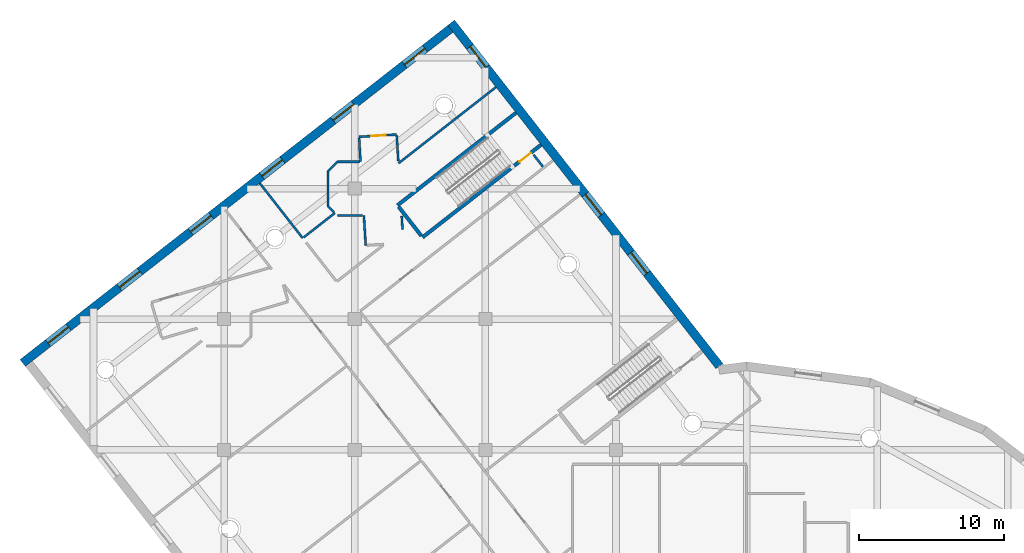
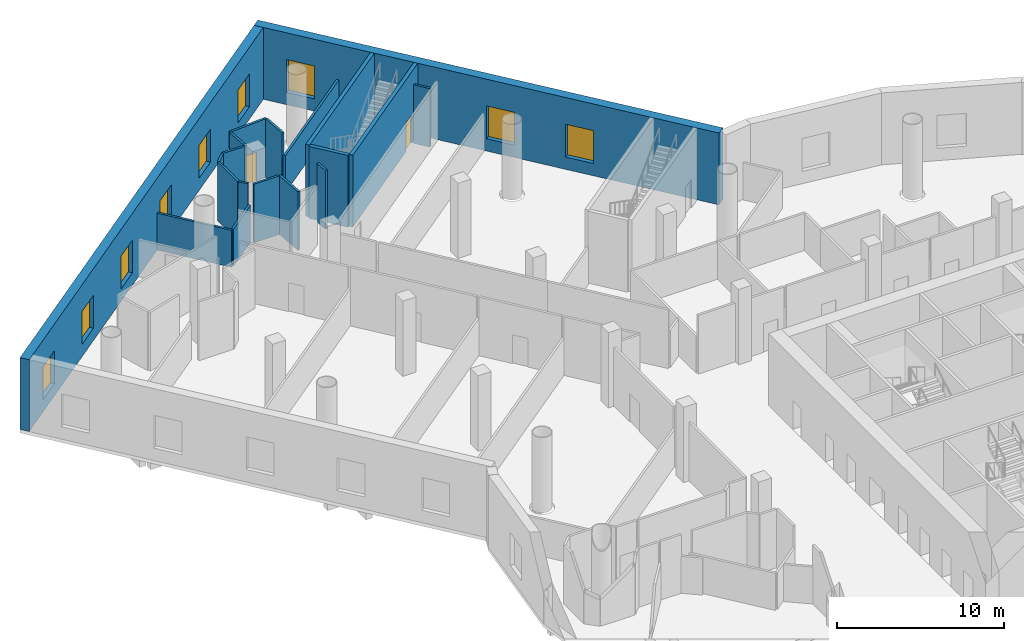
# One storey, part 11 of 23: 19 walls, 9 windows, 2 doors, 11 openings.
"""IFC4 building model written with IfcOpenShell, lengths in metres."""

from ifc_helpers import new_model, si_unit, direction, frame, frame_2d, origin, place, context, subcontext, project, spatial, rectangle, extrude, material, layer, layer_set, type_object, element, fill, save


model = new_model("IFC4")

# Units and contexts
model_context = context("Model", 3, precision=1e-05, world=origin(), true_north=direction((0.0, 1.0)))
body_context = subcontext(model_context, "Body", "Model", "MODEL_VIEW")
ifc_project = project(units=[si_unit("LENGTHUNIT", "METRE"), si_unit("AREAUNIT", "SQUARE_METRE"), si_unit("VOLUMEUNIT", "CUBIC_METRE"), si_unit("PLANEANGLEUNIT", "RADIAN"), si_unit("MASSUNIT", "GRAM", prefix="KILO")], contexts=[model_context])

# Site, building, storey
site_placement = place(None, origin())
site = spatial("IfcSite", under=ifc_project, at=site_placement, CompositionType="ELEMENT")
building_placement = place(site_placement, origin())
building = spatial("IfcBuilding", under=site, at=building_placement, Name="Tarsis Ring Headquarters", CompositionType="ELEMENT")
storey_placement = place(building_placement, frame((0.0, 0.0, 19.5)))
storey = spatial("IfcBuildingStorey", under=building, at=storey_placement, Name="L03", CompositionType="ELEMENT", Elevation=19.5)

# Walls
ifc_material_1 = material(Name="Plasterboard partition")
ifc_layer_1 = layer(ifc_material_1, 0.14990234375)
ifc_layer_set_1 = layer_set([ifc_layer_1], Name="PO-PW150")
wall_type_1 = type_object("IfcWallType", Name="PO-PW150", PredefinedType="PARTITIONING", material=ifc_layer_set_1)
wall_1_placement = place(storey_placement, frame((-23.9892578125, 46.739013671875, 0.0), z_axis=(0.0, 0.0, 1.0), x_axis=(0.788016995561, 0.615653485906, 0.0)))
element("IfcWall", 1, at=wall_1_placement, inside=storey, type_object=wall_type_1, Name="L03 partition wall 33", PredefinedType="PARTITIONING", context=body_context, shape_type="SweptSolid", body=[
    extrude(rectangle(XDim=8.5283203125, YDim=0.14990234375, at=frame_2d((4.26416015625, 0.0))), origin(), (0.0, 0.0, 1.0), 2.699951171875),
])
wall_2_placement = place(storey_placement, frame((-33.541259765625, 45.3671875, 0.0), z_axis=(0.0, 0.0, 1.0), x_axis=(0.615671679658, -0.788002781003, 0.0)))
element("IfcWall", 2, at=wall_2_placement, inside=storey, type_object=wall_type_1, Name="L03 partition wall 72", PredefinedType="PARTITIONING", context=body_context, shape_type="SweptSolid", body=[
    extrude(rectangle(XDim=4.7998046875, YDim=0.14990234375, at=frame_2d((2.39990234375, 0.0))), origin(), (0.0, 0.0, 1.0), 2.699951171875),
])
wall_3_placement = place(storey_placement, frame((-28.367919921875, 43.31787109375, 0.0), z_axis=(0.0, 0.0, 1.0), x_axis=(-0.788018960499, -0.615650970838, 0.0)))
element("IfcWall", 3, at=wall_3_placement, inside=storey, type_object=wall_type_1, Name="L03 partition wall 100", PredefinedType="PARTITIONING", context=body_context, shape_type="SweptSolid", body=[
    extrude(rectangle(XDim=2.735107421875, YDim=0.14990234375, at=frame_2d((1.36767578125, 0.0))), origin(), (0.0, 0.0, 1.0), 2.699951171875),
])

# Wall, opening, door
ifc_layer_2 = layer(ifc_material_1, 0.14990234375)
ifc_layer_set_2 = layer_set([ifc_layer_2], Name="PO-PW150R-4283")
wall_type_2 = type_object("IfcWallType", Name="PO-PW150R-4283", PredefinedType="PARTITIONING", material=ifc_layer_set_2)
wall_4_placement = place(storey_placement, frame((-26.706787109375, 48.563232421875, 0.0), z_axis=(0.0, 0.0, 1.0), x_axis=(0.998095093722, 0.061694277597, 0.0)))
wall_4 = element("IfcWall", 4, at=wall_4_placement, inside=storey, type_object=wall_type_2, Name="L03 partition wall 109", PredefinedType="PARTITIONING", context=body_context, shape_type="SweptSolid", body=[
    extrude(rectangle(XDim=2.599853515625, YDim=0.14990234375, at=frame_2d((1.2998046875, 0.0))), origin(), (0.0, 0.0, 1.0), 4.282958984375),
])
opening_1_placement = place(wall_4_placement, frame((0.85302734375, 0.0, 0.0)))
opening_1 = element("IfcOpeningElement", 5, at=opening_1_placement, cuts=wall_4, Name="Opening PO-D1", PredefinedType="OPENING", context=body_context, shape_type="SweptSolid", body=[
    extrude(rectangle(XDim=1.0, YDim=2.10009765625, at=frame_2d((0.5, 1.050048828125))), frame((0.0, 0.0849609375, 0.0), z_axis=(0.0, -1.0, 0.0), x_axis=(1.0, 0.0, 0.0)), (0.0, 0.0, 1.0), 0.169921875),
])
ifc_material_2 = material(Name="Timber door", Category="wood")
door_type_1 = type_object("IfcDoorType", Name="PO-D1000", OperationType="NOTDEFINED", PredefinedType="DOOR", material=ifc_material_2)
door_1_placement = place(opening_1_placement, origin())
door_1 = element("IfcDoor", 6, at=door_1_placement, inside=storey, type_object=door_type_1, Name="Archive store door", OperationType="SINGLE_SWING_LEFT", OverallHeight=2.10009765625, OverallWidth=1.0, PredefinedType="DOOR", context=body_context, shape_type="SweptSolid", body=[
    extrude(rectangle(XDim=1.0, YDim=2.10009765625, at=frame_2d((0.5, 1.050048828125))), frame((0.0, 0.02490234375, 0.0), z_axis=(0.0, -1.0, 0.0), x_axis=(1.0, 0.0, 0.0)), (0.0, 0.0, 1.0), 0.050048828125),
])
fill(opening_1, door_1)

# Walls
wall_5_placement = place(storey_placement, frame((-28.85009765625, 43.800048828125, 0.0), z_axis=(0.0, 0.0, 1.0), x_axis=(0.0, 1.0, 0.0)))
element("IfcWall", 7, at=wall_5_placement, inside=storey, type_object=wall_type_2, Name="L03 partition wall 117", PredefinedType="PARTITIONING", context=body_context, shape_type="SweptSolid", body=[
    extrude(rectangle(XDim=2.39990234375, YDim=0.14990234375, at=frame_2d((1.199951171875, 0.0))), origin(), (0.0, 0.0, 1.0), 4.282958984375),
])
wall_6_placement = place(storey_placement, frame((-26.24462890625, 41.085205078125, 0.0), z_axis=(0.0, 0.0, 1.0), x_axis=(-0.061724342185, 0.998093234914, 0.0)))
element("IfcWall", 8, at=wall_6_placement, inside=storey, type_object=wall_type_2, Name="L03 partition wall 127", PredefinedType="PARTITIONING", context=body_context, shape_type="SweptSolid", body=[
    extrude(rectangle(XDim=2.068603515625, YDim=0.14990234375, at=frame_2d((1.0341796875, 0.0))), origin(), (0.0, 0.0, 1.0), 4.282958984375),
])
wall_7_placement = place(storey_placement, frame((-24.10693359375, 48.6435546875, 0.0), z_axis=(0.0, 0.0, 1.0), x_axis=(0.061790438176, -0.998089145192, 0.0)))
element("IfcWall", 9, at=wall_7_placement, inside=storey, type_object=wall_type_2, Name="L03 partition wall 131", PredefinedType="PARTITIONING", context=body_context, shape_type="SweptSolid", body=[
    extrude(rectangle(XDim=1.75830078125, YDim=0.14990234375, at=frame_2d((0.879150390625, 0.0))), origin(), (0.0, 0.0, 1.0), 4.282958984375),
])
wall_8_placement = place(storey_placement, frame((-26.452392578125, 43.14990234375, 0.0), z_axis=(0.0, 0.0, 1.0), x_axis=(-1.0, 0.0, 0.0)))
element("IfcWall", 10, at=wall_8_placement, inside=storey, type_object=wall_type_2, Name="L03 partition wall 137", PredefinedType="PARTITIONING", context=body_context, shape_type="SweptSolid", body=[
    extrude(rectangle(XDim=1.74755859375, YDim=0.14990234375, at=frame_2d((0.873779296875, 0.0))), origin(), (0.0, 0.0, 1.0), 4.282958984375),
])
wall_9_placement = place(storey_placement, frame((-26.60107421875, 46.85009765625, 0.0), z_axis=(0.0, 0.0, 1.0), x_axis=(-0.06162580665, 0.998099323692, 0.0)))
element("IfcWall", 11, at=wall_9_placement, inside=storey, type_object=wall_type_2, Name="L03 partition wall 138", PredefinedType="PARTITIONING", context=body_context, shape_type="SweptSolid", body=[
    extrude(rectangle(XDim=1.63623046875, YDim=0.14990234375, at=frame_2d((0.818115234375, 0.0))), origin(), (0.0, 0.0, 1.0), 4.282958984375),
])
wall_10_placement = place(storey_placement, frame((-28.199951171875, 46.85009765625, 0.0), z_axis=(0.0, 0.0, 1.0), x_axis=(1.0, 0.0, 0.0)))
element("IfcWall", 12, at=wall_10_placement, inside=storey, type_object=wall_type_2, Name="L03 partition wall 140", PredefinedType="PARTITIONING", context=body_context, shape_type="SweptSolid", body=[
    extrude(rectangle(XDim=1.51904296875, YDim=0.14990234375, at=frame_2d((0.759521484375, 0.0))), origin(), (0.0, 0.0, 1.0), 4.282958984375),
])
wall_11_placement = place(storey_placement, frame((-14.677734375, 47.328857421875, 0.0), z_axis=(0.0, 0.0, 1.0), x_axis=(0.615558650251, -0.788091078557, 0.0)))
element("IfcWall", 13, at=wall_11_placement, inside=storey, type_object=wall_type_2, Name="L03 partition wall 155", PredefinedType="PARTITIONING", context=body_context, shape_type="SweptSolid", body=[
    extrude(rectangle(XDim=1.05419921875, YDim=0.14990234375, at=frame_2d((0.527099609375, 0.0))), origin(), (0.0, 0.0, 1.0), 4.282958984375),
])
wall_12_placement = place(storey_placement, frame((-23.764892578125, 43.109375, 0.0), z_axis=(0.0, 0.0, 1.0), x_axis=(0.061656493735, -0.998097428501, 0.0)))
element("IfcWall", 14, at=wall_12_placement, inside=storey, type_object=wall_type_2, Name="L03 partition wall 160", PredefinedType="PARTITIONING", context=body_context, shape_type="SweptSolid", body=[
    extrude(rectangle(XDim=0.926513671875, YDim=0.14990234375, at=frame_2d((0.46337890625, 0.0))), origin(), (0.0, 0.0, 1.0), 4.282958984375),
])
wall_13_placement = place(storey_placement, frame((-28.85009765625, 46.199951171875, 0.0), z_axis=(0.0, 0.0, 1.0), x_axis=(0.707106781187, 0.707106781187, 0.0)))
element("IfcWall", 15, at=wall_13_placement, inside=storey, type_object=wall_type_2, Name="L03 partition wall 163", PredefinedType="PARTITIONING", context=body_context, shape_type="SweptSolid", body=[
    extrude(rectangle(XDim=0.91943359375, YDim=0.14990234375, at=frame_2d((0.459716796875, 0.0))), origin(), (0.0, 0.0, 1.0), 4.282958984375),
])
wall_14_placement = place(storey_placement, frame((-28.431640625, 43.381591796875, 0.0), z_axis=(0.0, 0.0, 1.0), x_axis=(-0.707106781187, 0.707106781187, 0.0)))
element("IfcWall", 16, at=wall_14_placement, inside=storey, type_object=wall_type_2, Name="L03 partition wall 173", PredefinedType="PARTITIONING", context=body_context, shape_type="SweptSolid", body=[
    extrude(rectangle(XDim=0.591796875, YDim=0.14990234375, at=frame_2d((0.2958984375, 0.0))), origin(), (0.0, 0.0, 1.0), 4.282958984375),
])

# Wall, opening, door
ifc_material_3 = material(Name="Concrete C40/50", Category="concrete")
ifc_layer_3 = layer(ifc_material_3, 0.25)
ifc_layer_set_3 = layer_set([ifc_layer_3], Name="PO-W250")
wall_type_3 = type_object("IfcWallType", Name="PO-W250", PredefinedType="SOLIDWALL", material=ifc_layer_set_3)
wall_15_placement = place(storey_placement, frame((-14.163818359375, 48.015380859375, 0.0), z_axis=(0.0, 0.0, 1.0), x_axis=(-0.788278990398, -0.61531799364, 0.0)))
wall_15 = element("IfcWall", 17, at=wall_15_placement, inside=storey, type_object=wall_type_3, Name="L03 shaft wall 25", PredefinedType="SOLIDWALL", context=body_context, shape_type="SweptSolid", body=[
    extrude(rectangle(XDim=10.362060546875, YDim=0.25, at=frame_2d((5.18115234375, 0.0))), origin(), (0.0, 0.0, 1.0), 5.25),
])
opening_2_placement = place(wall_15_placement, frame((0.89697265625, 0.0, 0.0)))
opening_2 = element("IfcOpeningElement", 18, at=opening_2_placement, cuts=wall_15, Name="Opening PO-D3", PredefinedType="OPENING", context=body_context, shape_type="SweptSolid", body=[
    extrude(rectangle(XDim=1.0, YDim=2.10009765625, at=frame_2d((0.5, 1.050048828125))), frame((0.0, 0.135009765625, 0.0), z_axis=(0.0, -1.0, 0.0), x_axis=(1.0, 0.0, 0.0)), (0.0, 0.0, 1.0), 0.27001953125),
])
ifc_material_4 = material(Name="Steel fire door", Category="steel")
door_type_2 = type_object("IfcDoorType", Name="PO-D1000F", OperationType="SINGLE_SWING_LEFT", PredefinedType="DOOR", material=ifc_material_4)
door_2_placement = place(opening_2_placement, origin())
door_2 = element("IfcDoor", 19, at=door_2_placement, inside=storey, type_object=door_type_2, Name="Exit stair 4 door", OperationType="SINGLE_SWING_LEFT", OverallHeight=2.10009765625, OverallWidth=1.0, PredefinedType="DOOR", context=body_context, shape_type="SweptSolid", body=[
    extrude(rectangle(XDim=1.0, YDim=2.10009765625, at=frame_2d((0.5, 1.050048828125))), frame((0.0, 0.02490234375, 0.0), z_axis=(0.0, -1.0, 0.0), x_axis=(1.0, 0.0, 0.0)), (0.0, 0.0, 1.0), 0.050048828125),
])
fill(opening_2, door_2)

# Walls
wall_16_placement = place(storey_placement, frame((-24.054931640625, 43.8466796875, 0.0), z_axis=(0.0, 0.0, 1.0), x_axis=(0.788277592166, 0.615319784899, 0.0)))
element("IfcWall", 20, at=wall_16_placement, inside=storey, type_object=wall_type_3, Name="L03 shaft wall 26", PredefinedType="SOLIDWALL", context=body_context, shape_type="SweptSolid", body=[
    extrude(rectangle(XDim=10.36083984375, YDim=0.25, at=frame_2d((5.180419921875, 0.0))), origin(), (0.0, 0.0, 1.0), 5.25),
])
wall_17_placement = place(storey_placement, frame((-22.412109375, 41.741943359375, 0.0), z_axis=(0.0, 0.0, 1.0), x_axis=(-0.615283967859, 0.788305549197, 0.0)))
element("IfcWall", 21, at=wall_17_placement, inside=storey, type_object=wall_type_3, Name="L03 shaft wall 104", PredefinedType="SOLIDWALL", context=body_context, shape_type="SweptSolid", body=[
    extrude(rectangle(XDim=2.539794921875, YDim=0.25, at=frame_2d((1.27001953125, 0.0))), origin(), (0.0, 0.0, 1.0), 5.25),
])

# Wall, openings, windows
ifc_material_5 = material(Name="Concrete C60/75", Category="concrete")
ifc_layer_4 = layer(ifc_material_5, 0.60009765625)
ifc_layer_set_4 = layer_set([ifc_layer_4], Name="PO-W600")
wall_type_4 = type_object("IfcWallType", Name="PO-W600", PredefinedType="SOLIDWALL", material=ifc_layer_set_4)
wall_18_placement = place(storey_placement, frame((-1.87353515625, 32.77197265625, 0.0), z_axis=(0.0, 0.0, 1.0), x_axis=(-0.615664714742, 0.788008222687, 0.0)))
wall_18 = element("IfcWall", 22, at=wall_18_placement, inside=storey, type_object=wall_type_4, Name="L03 external wall 23", PredefinedType="SOLIDWALL", context=body_context, shape_type="SweptSolid", body=[
    extrude(rectangle(XDim=30.02197265625, YDim=0.60009765625, at=frame_2d((15.010986328125, 0.0))), origin(), (0.0, 0.0, 1.0), 5.25),
])
opening_3_placement = place(wall_18_placement, frame((8.106689453125, 0.0, 0.89990234375)))
opening_3 = element("IfcOpeningElement", 23, at=opening_3_placement, cuts=wall_18, Name="Opening PO-WN1", PredefinedType="OPENING", context=body_context, shape_type="SweptSolid", body=[
    extrude(rectangle(XDim=1.800048828125, YDim=2.39990234375, at=frame_2d((0.89990234375, 1.199951171875))), frame((0.0, 0.31005859375, 0.0), z_axis=(0.0, -1.0, 0.0), x_axis=(1.0, 0.0, 0.0)), (0.0, 0.0, 1.0), 0.6201171875),
])
opening_4_placement = place(wall_18_placement, frame((13.2109375, 0.0, 0.89990234375)))
opening_4 = element("IfcOpeningElement", 24, at=opening_4_placement, cuts=wall_18, Name="Opening PO-WN1", PredefinedType="OPENING", context=body_context, shape_type="SweptSolid", body=[
    extrude(rectangle(XDim=1.800048828125, YDim=2.39990234375, at=frame_2d((0.89990234375, 1.199951171875))), frame((0.0, 0.31005859375, 0.0), z_axis=(0.0, -1.0, 0.0), x_axis=(1.0, 0.0, 0.0)), (0.0, 0.0, 1.0), 0.6201171875),
])
opening_5_placement = place(wall_18_placement, frame((26.11962890625, 0.0, 0.89990234375)))
opening_5 = element("IfcOpeningElement", 25, at=opening_5_placement, cuts=wall_18, Name="Opening PO-WN1", PredefinedType="OPENING", context=body_context, shape_type="SweptSolid", body=[
    extrude(rectangle(XDim=1.800048828125, YDim=2.39990234375, at=frame_2d((0.89990234375, 1.199951171875))), frame((0.0, 0.31005859375, 0.0), z_axis=(0.0, -1.0, 0.0), x_axis=(1.0, 0.0, 0.0)), (0.0, 0.0, 1.0), 0.6201171875),
])
ifc_material_6 = material(Name="Double glazing", Category="glass")
window_type = type_object("IfcWindowType", Name="PO-WN1800", PartitioningType="SINGLE_PANEL", PredefinedType="WINDOW", material=ifc_material_6)
window_1_placement = place(opening_3_placement, origin())
window_1 = element("IfcWindow", 26, at=window_1_placement, inside=storey, type_object=window_type, Name="L03 window 23.1", OverallHeight=2.39990234375, OverallWidth=1.800048828125, PartitioningType="SINGLE_PANEL", PredefinedType="WINDOW", context=body_context, shape_type="SweptSolid", body=[
    extrude(rectangle(XDim=1.800048828125, YDim=2.39990234375, at=frame_2d((0.89990234375, 1.199951171875))), frame((0.0, 0.030029296875, 0.0), z_axis=(0.0, -1.0, 0.0), x_axis=(1.0, 0.0, 0.0)), (0.0, 0.0, 1.0), 0.06005859375),
])
fill(opening_3, window_1)
window_2_placement = place(opening_4_placement, origin())
window_2 = element("IfcWindow", 27, at=window_2_placement, inside=storey, type_object=window_type, Name="L03 window 23.2", OverallHeight=2.39990234375, OverallWidth=1.800048828125, PartitioningType="SINGLE_PANEL", PredefinedType="WINDOW", context=body_context, shape_type="SweptSolid", body=[
    extrude(rectangle(XDim=1.800048828125, YDim=2.39990234375, at=frame_2d((0.89990234375, 1.199951171875))), frame((0.0, 0.030029296875, 0.0), z_axis=(0.0, -1.0, 0.0), x_axis=(1.0, 0.0, 0.0)), (0.0, 0.0, 1.0), 0.06005859375),
])
fill(opening_4, window_2)
window_3_placement = place(opening_5_placement, origin())
window_3 = element("IfcWindow", 28, at=window_3_placement, inside=storey, type_object=window_type, Name="L03 window 23.3", OverallHeight=2.39990234375, OverallWidth=1.800048828125, PartitioningType="SINGLE_PANEL", PredefinedType="WINDOW", context=body_context, shape_type="SweptSolid", body=[
    extrude(rectangle(XDim=1.800048828125, YDim=2.39990234375, at=frame_2d((0.89990234375, 1.199951171875))), frame((0.0, 0.030029296875, 0.0), z_axis=(0.0, -1.0, 0.0), x_axis=(1.0, 0.0, 0.0)), (0.0, 0.0, 1.0), 0.06005859375),
])
fill(opening_5, window_3)

wall_19_placement = place(storey_placement, frame((-20.40869140625, 56.00830078125, 0.0), z_axis=(0.0, 0.0, 1.0), x_axis=(-0.788010419186, -0.615661903365, 0.0)))
wall_19 = element("IfcWall", 29, at=wall_19_placement, inside=storey, type_object=wall_type_4, Name="L03 external wall 24", PredefinedType="SOLIDWALL", context=body_context, shape_type="SweptSolid", body=[
    extrude(rectangle(XDim=37.39990234375, YDim=0.60009765625, at=frame_2d((18.699951171875, 0.0))), origin(), (0.0, 0.0, 1.0), 5.25),
])
opening_6_placement = place(wall_19_placement, frame((2.216552734375, 0.0, 0.89990234375)))
opening_6 = element("IfcOpeningElement", 30, at=opening_6_placement, cuts=wall_19, Name="Opening PO-WN1", PredefinedType="OPENING", context=body_context, shape_type="SweptSolid", body=[
    extrude(rectangle(XDim=1.800048828125, YDim=2.39990234375, at=frame_2d((0.89990234375, 1.199951171875))), frame((0.0, 0.31005859375, 0.0), z_axis=(0.0, -1.0, 0.0), x_axis=(1.0, 0.0, 0.0)), (0.0, 0.0, 1.0), 0.6201171875),
])
opening_7_placement = place(wall_19_placement, frame((8.449951171875, 0.0, 0.89990234375)))
opening_7 = element("IfcOpeningElement", 31, at=opening_7_placement, cuts=wall_19, Name="Opening PO-WN1", PredefinedType="OPENING", context=body_context, shape_type="SweptSolid", body=[
    extrude(rectangle(XDim=1.800048828125, YDim=2.39990234375, at=frame_2d((0.89990234375, 1.199951171875))), frame((0.0, 0.31005859375, 0.0), z_axis=(0.0, -1.0, 0.0), x_axis=(1.0, 0.0, 0.0)), (0.0, 0.0, 1.0), 0.6201171875),
])
opening_8_placement = place(wall_19_placement, frame((14.683349609375, 0.0, 0.89990234375)))
opening_8 = element("IfcOpeningElement", 32, at=opening_8_placement, cuts=wall_19, Name="Opening PO-WN1", PredefinedType="OPENING", context=body_context, shape_type="SweptSolid", body=[
    extrude(rectangle(XDim=1.800048828125, YDim=2.39990234375, at=frame_2d((0.89990234375, 1.199951171875))), frame((0.0, 0.31005859375, 0.0), z_axis=(0.0, -1.0, 0.0), x_axis=(1.0, 0.0, 0.0)), (0.0, 0.0, 1.0), 0.6201171875),
])
opening_9_placement = place(wall_19_placement, frame((20.916748046875, 0.0, 0.89990234375)))
opening_9 = element("IfcOpeningElement", 33, at=opening_9_placement, cuts=wall_19, Name="Opening PO-WN1", PredefinedType="OPENING", context=body_context, shape_type="SweptSolid", body=[
    extrude(rectangle(XDim=1.800048828125, YDim=2.39990234375, at=frame_2d((0.89990234375, 1.199951171875))), frame((0.0, 0.31005859375, 0.0), z_axis=(0.0, -1.0, 0.0), x_axis=(1.0, 0.0, 0.0)), (0.0, 0.0, 1.0), 0.6201171875),
])
opening_10_placement = place(wall_19_placement, frame((27.14990234375, 0.0, 0.89990234375)))
opening_10 = element("IfcOpeningElement", 34, at=opening_10_placement, cuts=wall_19, Name="Opening PO-WN1", PredefinedType="OPENING", context=body_context, shape_type="SweptSolid", body=[
    extrude(rectangle(XDim=1.800048828125, YDim=2.39990234375, at=frame_2d((0.89990234375, 1.199951171875))), frame((0.0, 0.31005859375, 0.0), z_axis=(0.0, -1.0, 0.0), x_axis=(1.0, 0.0, 0.0)), (0.0, 0.0, 1.0), 0.6201171875),
])
opening_11_placement = place(wall_19_placement, frame((33.38330078125, 0.0, 0.89990234375)))
opening_11 = element("IfcOpeningElement", 35, at=opening_11_placement, cuts=wall_19, Name="Opening PO-WN1", PredefinedType="OPENING", context=body_context, shape_type="SweptSolid", body=[
    extrude(rectangle(XDim=1.800048828125, YDim=2.39990234375, at=frame_2d((0.89990234375, 1.199951171875))), frame((0.0, 0.31005859375, 0.0), z_axis=(0.0, -1.0, 0.0), x_axis=(1.0, 0.0, 0.0)), (0.0, 0.0, 1.0), 0.6201171875),
])
window_4_placement = place(opening_6_placement, origin())
window_4 = element("IfcWindow", 36, at=window_4_placement, inside=storey, type_object=window_type, Name="L03 window 24.1", OverallHeight=2.39990234375, OverallWidth=1.800048828125, PartitioningType="SINGLE_PANEL", PredefinedType="WINDOW", context=body_context, shape_type="SweptSolid", body=[
    extrude(rectangle(XDim=1.800048828125, YDim=2.39990234375, at=frame_2d((0.89990234375, 1.199951171875))), frame((0.0, 0.030029296875, 0.0), z_axis=(0.0, -1.0, 0.0), x_axis=(1.0, 0.0, 0.0)), (0.0, 0.0, 1.0), 0.06005859375),
])
fill(opening_6, window_4)
window_5_placement = place(opening_7_placement, origin())
window_5 = element("IfcWindow", 37, at=window_5_placement, inside=storey, type_object=window_type, Name="L03 window 24.2", OverallHeight=2.39990234375, OverallWidth=1.800048828125, PartitioningType="SINGLE_PANEL", PredefinedType="WINDOW", context=body_context, shape_type="SweptSolid", body=[
    extrude(rectangle(XDim=1.800048828125, YDim=2.39990234375, at=frame_2d((0.89990234375, 1.199951171875))), frame((0.0, 0.030029296875, 0.0), z_axis=(0.0, -1.0, 0.0), x_axis=(1.0, 0.0, 0.0)), (0.0, 0.0, 1.0), 0.06005859375),
])
fill(opening_7, window_5)
window_6_placement = place(opening_8_placement, origin())
window_6 = element("IfcWindow", 38, at=window_6_placement, inside=storey, type_object=window_type, Name="L03 window 24.3", OverallHeight=2.39990234375, OverallWidth=1.800048828125, PartitioningType="SINGLE_PANEL", PredefinedType="WINDOW", context=body_context, shape_type="SweptSolid", body=[
    extrude(rectangle(XDim=1.800048828125, YDim=2.39990234375, at=frame_2d((0.89990234375, 1.199951171875))), frame((0.0, 0.030029296875, 0.0), z_axis=(0.0, -1.0, 0.0), x_axis=(1.0, 0.0, 0.0)), (0.0, 0.0, 1.0), 0.06005859375),
])
fill(opening_8, window_6)
window_7_placement = place(opening_9_placement, origin())
window_7 = element("IfcWindow", 39, at=window_7_placement, inside=storey, type_object=window_type, Name="L03 window 24.4", OverallHeight=2.39990234375, OverallWidth=1.800048828125, PartitioningType="SINGLE_PANEL", PredefinedType="WINDOW", context=body_context, shape_type="SweptSolid", body=[
    extrude(rectangle(XDim=1.800048828125, YDim=2.39990234375, at=frame_2d((0.89990234375, 1.199951171875))), frame((0.0, 0.030029296875, 0.0), z_axis=(0.0, -1.0, 0.0), x_axis=(1.0, 0.0, 0.0)), (0.0, 0.0, 1.0), 0.06005859375),
])
fill(opening_9, window_7)
window_8_placement = place(opening_10_placement, origin())
window_8 = element("IfcWindow", 40, at=window_8_placement, inside=storey, type_object=window_type, Name="L03 window 24.5", OverallHeight=2.39990234375, OverallWidth=1.800048828125, PartitioningType="SINGLE_PANEL", PredefinedType="WINDOW", context=body_context, shape_type="SweptSolid", body=[
    extrude(rectangle(XDim=1.800048828125, YDim=2.39990234375, at=frame_2d((0.89990234375, 1.199951171875))), frame((0.0, 0.030029296875, 0.0), z_axis=(0.0, -1.0, 0.0), x_axis=(1.0, 0.0, 0.0)), (0.0, 0.0, 1.0), 0.06005859375),
])
fill(opening_10, window_8)
window_9_placement = place(opening_11_placement, origin())
window_9 = element("IfcWindow", 41, at=window_9_placement, inside=storey, type_object=window_type, Name="L03 window 24.6", OverallHeight=2.39990234375, OverallWidth=1.800048828125, PartitioningType="SINGLE_PANEL", PredefinedType="WINDOW", context=body_context, shape_type="SweptSolid", body=[
    extrude(rectangle(XDim=1.800048828125, YDim=2.39990234375, at=frame_2d((0.89990234375, 1.199951171875))), frame((0.0, 0.030029296875, 0.0), z_axis=(0.0, -1.0, 0.0), x_axis=(1.0, 0.0, 0.0)), (0.0, 0.0, 1.0), 0.06005859375),
])
fill(opening_11, window_9)

save(model, "model.ifc")
